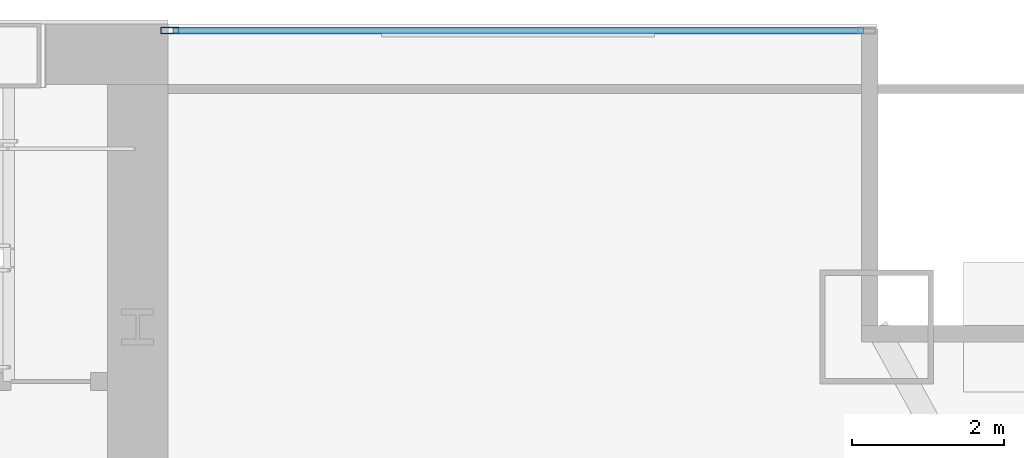
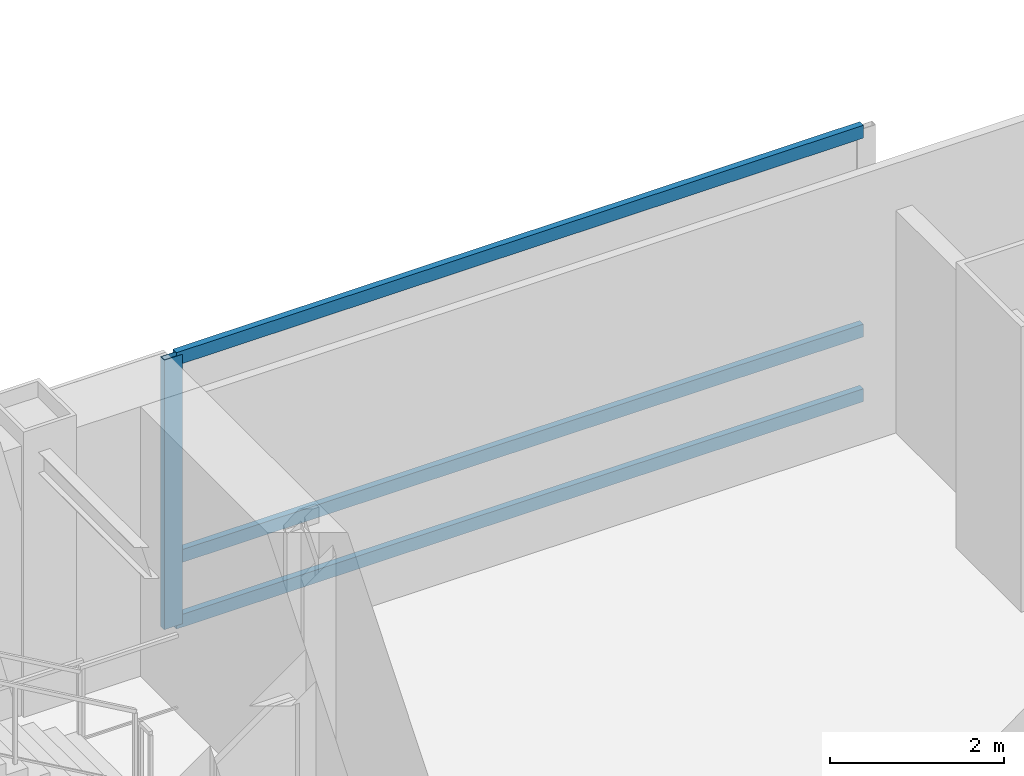
# One storey, part 19 of 32: 4 members, 1 element without a shape of its own.
"""IFC4 building model written with IfcOpenShell, lengths in metres."""

from ifc_helpers import new_model, si_unit, direction, frame, origin, origin_2d, place, context, subcontext, project, spatial, hollow_rectangle, extrude, material, material_profile, profile_set, type_object, element, aggregate, save


model = new_model("IFC4")

# Units and contexts
model_context = context("Model", 3, precision=1e-05, world=origin(), true_north=direction((0.0, 1.0)))
body_context = subcontext(model_context, "Body", "Model", "MODEL_VIEW")
ifc_project = project(units=[si_unit("LENGTHUNIT", "METRE"), si_unit("AREAUNIT", "SQUARE_METRE"), si_unit("VOLUMEUNIT", "CUBIC_METRE"), si_unit("PLANEANGLEUNIT", "RADIAN"), si_unit("MASSUNIT", "GRAM", prefix="KILO")], contexts=[model_context])

# Site, building, storey
site_placement = place(None, origin())
site = spatial("IfcSite", under=ifc_project, at=site_placement, CompositionType="ELEMENT")
building_placement = place(site_placement, origin())
building = spatial("IfcBuilding", under=site, at=building_placement, Name="Khoronbel Lancet Exchange", CompositionType="ELEMENT")
storey_placement = place(building_placement, frame((0.0, 0.0, 81.800048828125)))
storey = spatial("IfcBuildingStorey", under=building, at=storey_placement, Name="L19", CompositionType="ELEMENT", Elevation=81.800048828125)

# Curtain wall, members
ifc_material_1 = material(Name="Low-E Solar Control Insulating Glass", Category="glass")
curtain_wall_type = type_object("IfcCurtainWallType", Name="CW-2", PredefinedType="NOTDEFINED", material=ifc_material_1)
curtain_wall_placement = place(storey_placement, origin())
curtain_wall = element("IfcCurtainWall", 1, at=curtain_wall_placement, inside=storey, type_object=curtain_wall_type, Name="Unitised curtain wall CW-L19-NEFLK", PredefinedType="NOTDEFINED")
ifc_material_2 = material(Name="Bronze-Anodised Aluminium 6063-T6", Category="aluminium")
ifc_material_profile_1 = material_profile(ifc_material_2, hollow_rectangle(XDim=0.0849609375, YDim=0.239990234375, WallThickness=0.006103515625, at=origin_2d()), Name="ALU MULLION 85x240")
ifc_profile_set_1 = profile_set([ifc_material_profile_1], Name="Bronze-Anodised Aluminium 6063-T6")
member_type_1 = type_object("IfcMemberType", Name="MEM-CWM1", PredefinedType="MULLION", material=ifc_profile_set_1)
member_1_placement = place(storey_placement, frame((56.722412109375, 53.610107421875, 0.0), z_axis=(0.0, 0.0, 1.0), x_axis=(0.0, -1.0, 0.0)))
member_1 = element("IfcMember", 2, at=member_1_placement, type_object=member_type_1, Name="CW2 mullion 2", PredefinedType="MULLION", context=body_context, shape_type="SweptSolid", body=[
    extrude(hollow_rectangle(XDim=0.0849609375, YDim=0.239990234375, WallThickness=0.006103515625, at=origin_2d()), origin(), (0.0, 0.0, 1.0), 3.780029296875),
])
ifc_material_profile_2 = material_profile(ifc_material_2, hollow_rectangle(XDim=0.0849609375, YDim=0.179931640625, WallThickness=0.0048828125, at=origin_2d()), Name="ALU TRANSOM 85x180")
ifc_profile_set_2 = profile_set([ifc_material_profile_2], Name="Bronze-Anodised Aluminium 6063-T6")
member_type_2 = type_object("IfcMemberType", Name="MEM-CWT1", PredefinedType="USERDEFINED", material=ifc_profile_set_2)
member_2_placement = place(storey_placement, frame((65.875, 53.610107421875, 0.04248046875), z_axis=(-1.0, 0.0, 0.0), x_axis=(0.0, -1.0, 0.0)))
member_2 = element("IfcMember", 3, at=member_2_placement, type_object=member_type_2, Name="CW2 transom 1.1", ObjectType="TRANSOM", PredefinedType="USERDEFINED", context=body_context, shape_type="SweptSolid", body=[
    extrude(hollow_rectangle(XDim=0.0849609375, YDim=0.179931640625, WallThickness=0.0048828125, at=origin_2d()), origin(), (0.0, 0.0, 1.0), 9.110107421875),
])
member_3_placement = place(storey_placement, frame((65.875, 53.610107421875, 0.949951171875), z_axis=(-1.0, 0.0, 0.0), x_axis=(0.0, -1.0, 0.0)))
member_3 = element("IfcMember", 4, at=member_3_placement, type_object=member_type_2, Name="CW2 transom 1.2", ObjectType="TRANSOM", PredefinedType="USERDEFINED", context=body_context, shape_type="SweptSolid", body=[
    extrude(hollow_rectangle(XDim=0.0849609375, YDim=0.179931640625, WallThickness=0.0048828125, at=origin_2d()), origin(), (0.0, 0.0, 1.0), 9.110107421875),
])
member_4_placement = place(storey_placement, frame((65.875, 53.610107421875, 3.737548828125), z_axis=(-1.0, 0.0, 0.0), x_axis=(0.0, -1.0, 0.0)))
member_4 = element("IfcMember", 5, at=member_4_placement, type_object=member_type_2, Name="CW2 transom 1.3", ObjectType="TRANSOM", PredefinedType="USERDEFINED", context=body_context, shape_type="SweptSolid", body=[
    extrude(hollow_rectangle(XDim=0.0849609375, YDim=0.179931640625, WallThickness=0.0048828125, at=origin_2d()), origin(), (0.0, 0.0, 1.0), 9.110107421875),
])
aggregate(curtain_wall, [member_1, member_2, member_3, member_4])

save(model, "model.ifc")
